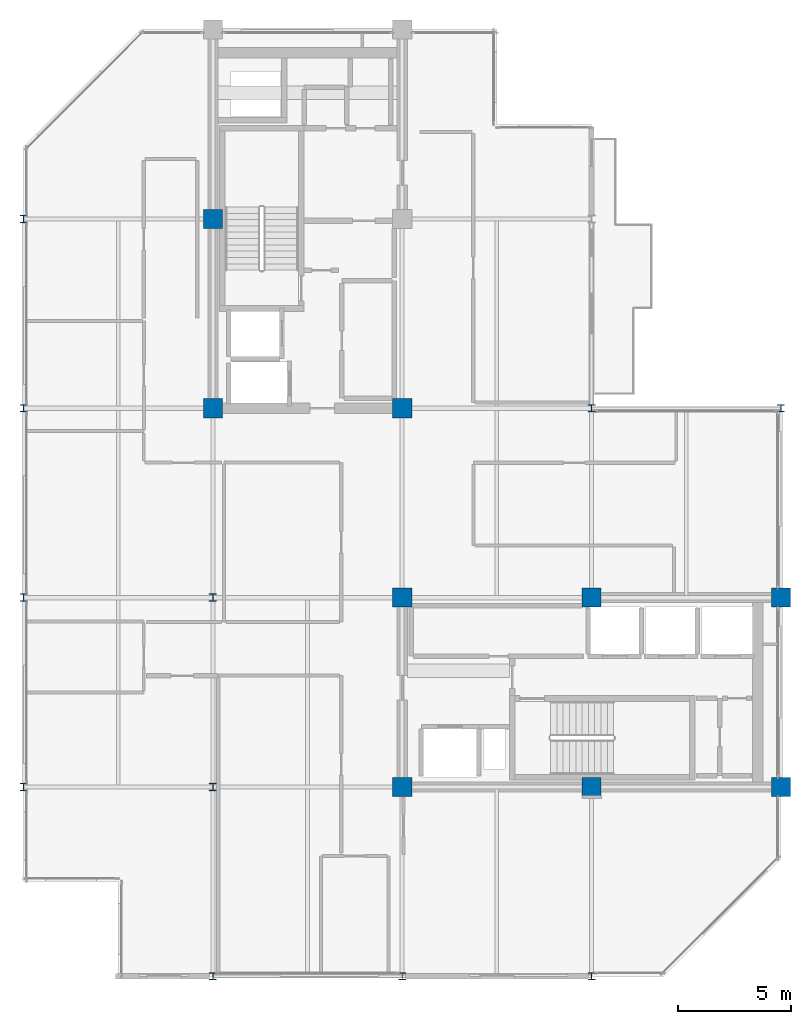
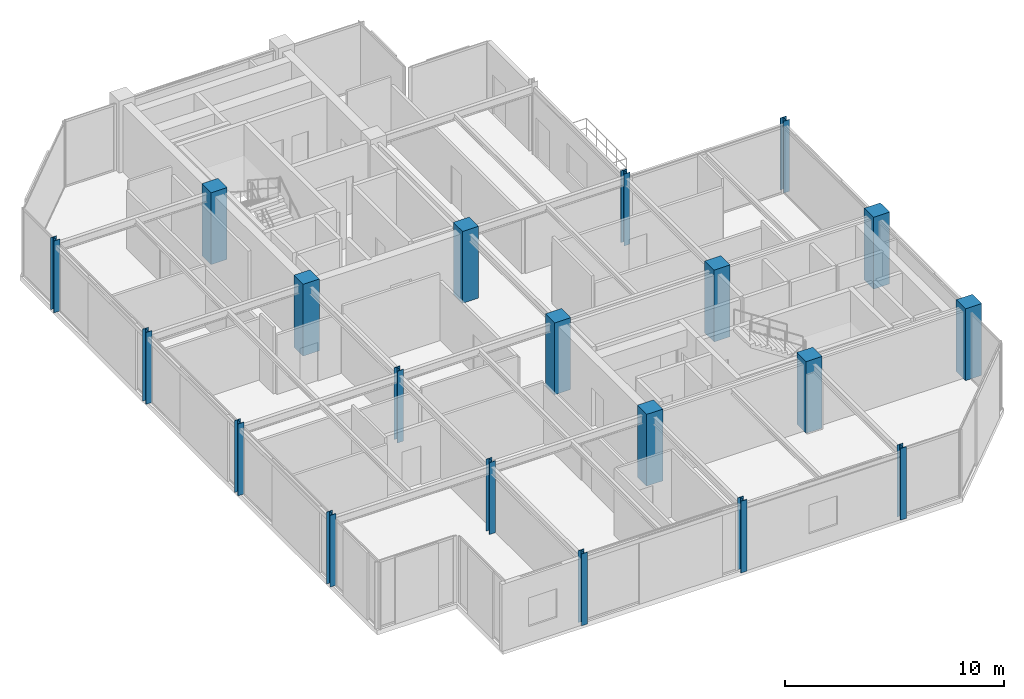
# One storey, part 1 of 24: 20 columns.
"""IFC4 building model written with IfcOpenShell, lengths in metres."""

from ifc_helpers import new_model, si_unit, direction, frame, origin, origin_2d, place, context, subcontext, project, spatial, rectangle, i_section, extrude, material, material_profile, profile_set, type_object, element, save


model = new_model("IFC4")

# Units and contexts
model_context = context("Model", 3, precision=1e-05, world=origin(), true_north=direction((0.0, 1.0)))
body_context = subcontext(model_context, "Body", "Model", "MODEL_VIEW")
ifc_project = project(units=[si_unit("LENGTHUNIT", "METRE"), si_unit("AREAUNIT", "SQUARE_METRE"), si_unit("VOLUMEUNIT", "CUBIC_METRE"), si_unit("PLANEANGLEUNIT", "RADIAN"), si_unit("MASSUNIT", "GRAM", prefix="KILO")], contexts=[model_context])

# Site, building, storey
site_placement = place(None, origin())
site = spatial("IfcSite", under=ifc_project, at=site_placement, CompositionType="ELEMENT")
building_placement = place(site_placement, origin())
building = spatial("IfcBuilding", under=site, at=building_placement, Name="Nerrivon Quay Data Exchange", CompositionType="ELEMENT")
storey_placement = place(building_placement, frame((0.0, 0.0, 310.199951171875)))
storey = spatial("IfcBuildingStorey", under=building, at=storey_placement, Name="L74", CompositionType="ELEMENT", Elevation=310.199951171875)

# Columns
ifc_material_1 = material(Name="Concrete N50 (50 MPa)", Category="concrete")
ifc_material_profile_1 = material_profile(ifc_material_1, rectangle(XDim=0.85009765625, YDim=0.85009765625, at=origin_2d()), Name="RC-COL-850x850")
ifc_profile_set_1 = profile_set([ifc_material_profile_1], Name="Concrete N50 (50 MPa)")
column_type_1 = type_object("IfcColumnType", Name="COL-C5-850", PredefinedType="COLUMN", material=ifc_profile_set_1)
for number, where, z_axis, x_axis, name in (
    (1, (8.39990234375, 25.199951171875, 0.0), (0.0, 0.0, 1.0), (1.0, 0.0, 0.0), "L74 Column (8.4,25.2)"),
    (2, (8.39990234375, 33.60009765625, 0.0), (0.0, 0.0, 1.0), (1.0, 0.0, 0.0), "L74 Column (8.4,33.6)"),
    (3, (16.800048828125, 8.39990234375, 0.0), (0.0, 0.0, 1.0), (1.0, 0.0, 0.0), "L74 Column (16.8,8.4)"),
    (4, (16.800048828125, 16.800048828125, 0.0), (0.0, 0.0, 1.0), (1.0, 0.0, 0.0), "L74 Column (16.8,16.8)"),
    (5, (16.800048828125, 25.199951171875, 0.0), (0.0, 0.0, 1.0), (1.0, 0.0, 0.0), "L74 Column (16.8,25.2)"),
    (6, (25.199951171875, 8.39990234375, 0.0), (0.0, 0.0, 1.0), (1.0, 0.0, 0.0), "L74 Column (25.2,8.4)"),
    (7, (25.199951171875, 16.800048828125, 0.0), (0.0, 0.0, 1.0), (1.0, 0.0, 0.0), "L74 Column (25.2,16.8)"),
    (8, (33.60009765625, 8.39990234375, 0.0), (0.0, 0.0, 1.0), (1.0, 0.0, 0.0), "L74 Column (33.6,8.4)"),
    (9, (33.60009765625, 16.800048828125, 0.0), (0.0, 0.0, 1.0), (1.0, 0.0, 0.0), "L74 Column (33.6,16.8)"),
):
    element("IfcColumn", number, at=place(storey_placement, frame(where, z_axis=z_axis, x_axis=x_axis)), inside=storey, type_object=column_type_1, Name=name, PredefinedType="COLUMN", context=body_context, shape_type="SweptSolid", body=[
        extrude(rectangle(XDim=0.85009765625, YDim=0.85009765625, at=origin_2d()), origin(), (0.0, 0.0, 1.0), 4.0),
    ])
ifc_material_2 = material(Name="Steel Grade 350", Category="steel")
ifc_material_profile_2 = material_profile(ifc_material_2, i_section(OverallWidth=0.31103515625, OverallDepth=0.326904296875, WebThickness=0.015625, FlangeThickness=0.02490234375, FilletRadius=0.0166015625, at=origin_2d()), Name="310UC158")
ifc_profile_set_2 = profile_set([ifc_material_profile_2], Name="Steel Grade 350")
column_type_2 = type_object("IfcColumnType", Name="COL-SC4-310UC158", PredefinedType="COLUMN", material=ifc_profile_set_2)
for number, where, z_axis, x_axis, name in (
    (10, (0.0, 8.39990234375, 0.0), (0.0, 0.0, 1.0), (1.0, 0.0, 0.0), "L74 Column (0.0,8.4)"),
    (11, (0.0, 16.800048828125, 0.0), (0.0, 0.0, 1.0), (1.0, 0.0, 0.0), "L74 Column (0.0,16.8)"),
    (12, (0.0, 25.199951171875, 0.0), (0.0, 0.0, 1.0), (1.0, 0.0, 0.0), "L74 Column (0.0,25.2)"),
    (13, (0.0, 33.60009765625, 0.0), (0.0, 0.0, 1.0), (1.0, 0.0, 0.0), "L74 Column (0.0,33.6)"),
    (14, (8.39990234375, 0.0, 0.0), (0.0, 0.0, 1.0), (1.0, 0.0, 0.0), "L74 Column (8.4,0.0)"),
    (15, (8.39990234375, 8.39990234375, 0.0), (0.0, 0.0, 1.0), (1.0, 0.0, 0.0), "L74 Column (8.4,8.4)"),
    (16, (8.39990234375, 16.800048828125, 0.0), (0.0, 0.0, 1.0), (1.0, 0.0, 0.0), "L74 Column (8.4,16.8)"),
    (17, (16.800048828125, 0.0, 0.0), (0.0, 0.0, 1.0), (1.0, 0.0, 0.0), "L74 Column (16.8,0.0)"),
    (18, (25.199951171875, 0.0, 0.0), (0.0, 0.0, 1.0), (1.0, 0.0, 0.0), "L74 Column (25.2,0.0)"),
    (19, (25.199951171875, 25.199951171875, 0.0), (0.0, 0.0, 1.0), (1.0, 0.0, 0.0), "L74 Column (25.2,25.2)"),
    (20, (33.60009765625, 25.199951171875, 0.0), (0.0, 0.0, 1.0), (1.0, 0.0, 0.0), "L74 Column (33.6,25.2)"),
):
    element("IfcColumn", number, at=place(storey_placement, frame(where, z_axis=z_axis, x_axis=x_axis)), inside=storey, type_object=column_type_2, Name=name, PredefinedType="COLUMN", context=body_context, shape_type="SweptSolid", body=[
        extrude(i_section(OverallWidth=0.31103515625, OverallDepth=0.326904296875, WebThickness=0.015625, FlangeThickness=0.02490234375, FilletRadius=0.0166015625, at=origin_2d()), origin(), (0.0, 0.0, 1.0), 4.0),
    ])

save(model, "model.ifc")
